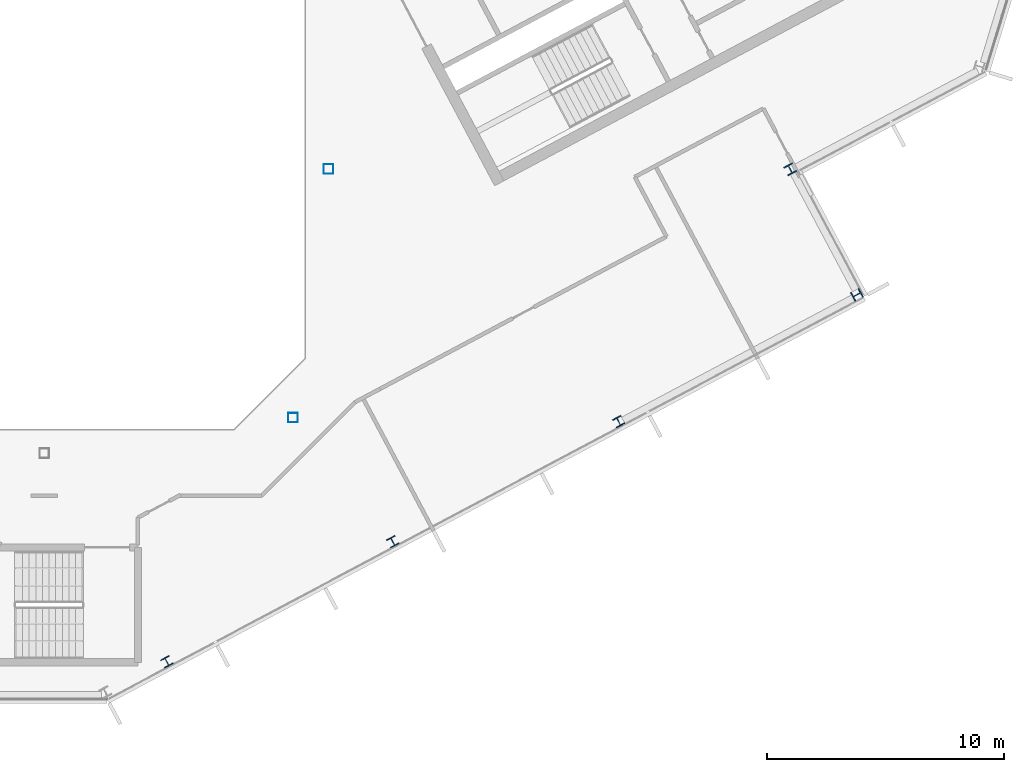
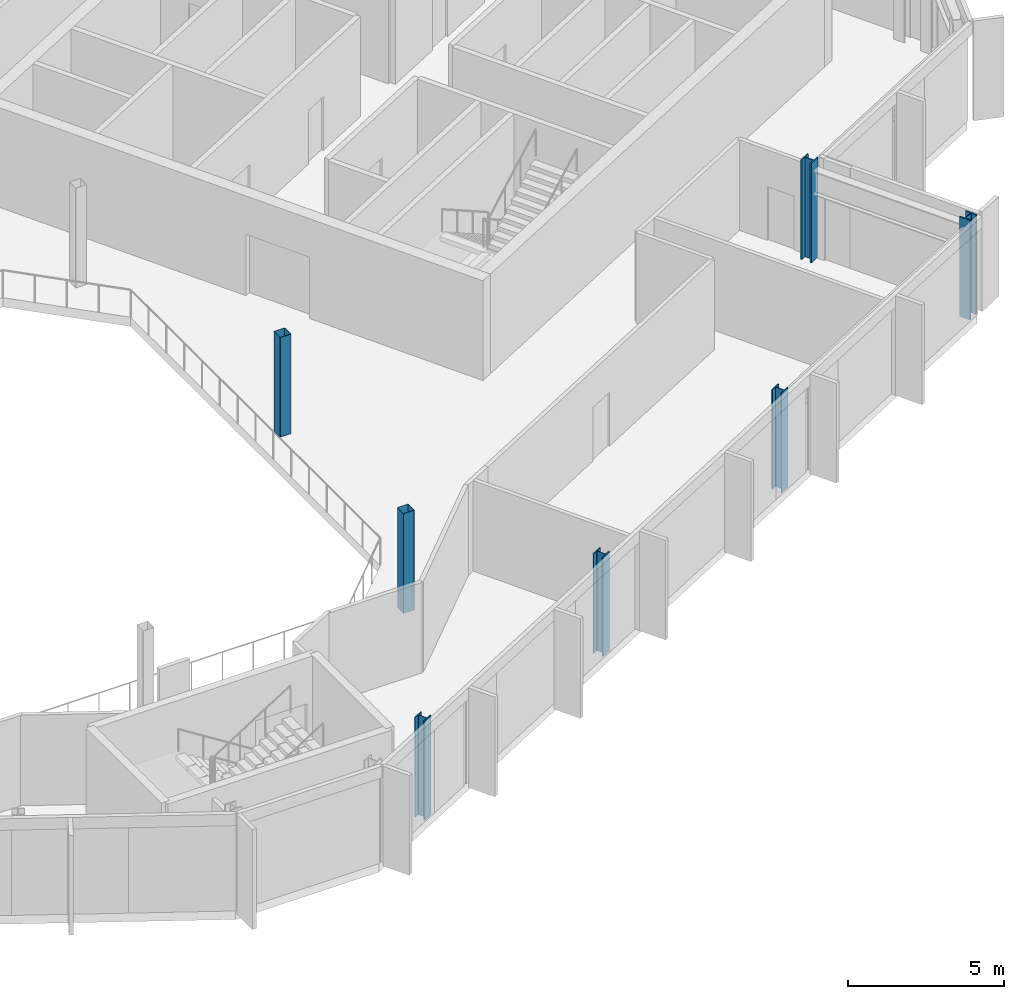
# One storey, part 5 of 25: 7 columns.
"""IFC4 building model written with IfcOpenShell, lengths in metres."""

from ifc_helpers import new_model, si_unit, direction, frame, origin, origin_2d, place, context, subcontext, project, spatial, hollow_rectangle, i_section, extrude, material, material_profile, profile_set, type_object, element, save


model = new_model("IFC4")

# Units and contexts
model_context = context("Model", 3, precision=1e-05, world=origin(), true_north=direction((0.0, 1.0)))
body_context = subcontext(model_context, "Body", "Model", "MODEL_VIEW")
ifc_project = project(units=[si_unit("LENGTHUNIT", "METRE"), si_unit("AREAUNIT", "SQUARE_METRE"), si_unit("VOLUMEUNIT", "CUBIC_METRE"), si_unit("PLANEANGLEUNIT", "RADIAN"), si_unit("MASSUNIT", "GRAM", prefix="KILO")], contexts=[model_context])

# Site, building, storey
site_placement = place(None, origin())
site = spatial("IfcSite", under=ifc_project, at=site_placement, CompositionType="ELEMENT")
building_placement = place(site_placement, origin())
building = spatial("IfcBuilding", under=site, at=building_placement, Name="Cormorant Relay Tower", CompositionType="ELEMENT")
storey_placement = place(building_placement, frame((0.0, 0.0, 289.199951171875)))
storey = spatial("IfcBuildingStorey", under=building, at=storey_placement, Name="L65", CompositionType="ELEMENT", Elevation=289.199951171875)

# Columns
ifc_material_1 = material(Name="Steel ASTM A500 Grade C (Fy 345 MPa)", Category="steel")
ifc_material_profile_1 = material_profile(ifc_material_1, hollow_rectangle(XDim=0.406494140625, YDim=0.406494140625, WallThickness=0.0087890625, InnerFilletRadius=0.00439453125, OuterFilletRadius=0.01318359375, at=origin_2d()), Name="HSS406x406x9")
ifc_profile_set_1 = profile_set([ifc_material_profile_1], Name="Steel ASTM A500 Grade C (Fy 345 MPa)")
column_type_1 = type_object("IfcColumnType", Name="Column HSS406x406x9", PredefinedType="COLUMN", material=ifc_profile_set_1)
for number, where, z_axis, x_axis, name in (
    (1, (10.5, -10.5, 0.0), (0.0, 0.0, 1.0), (1.0, 0.0, 0.0), "Column L65-010"),
    (2, (12.0, 0.0, 0.0), (0.0, 0.0, 1.0), (1.0, 0.0, 0.0), "Column L65-016"),
):
    element("IfcColumn", number, at=place(storey_placement, frame(where, z_axis=z_axis, x_axis=x_axis)), inside=storey, type_object=column_type_1, Name=name, PredefinedType="COLUMN", context=body_context, shape_type="SweptSolid", body=[
        extrude(hollow_rectangle(XDim=0.406494140625, YDim=0.406494140625, WallThickness=0.0087890625, InnerFilletRadius=0.00439453125, OuterFilletRadius=0.01318359375, at=origin_2d()), origin(), (0.0, 0.0, 1.0), 3.900146484375),
    ])
ifc_material_2 = material(Name="Steel ASTM A992 (Fy 345 MPa)", Category="steel")
ifc_material_profile_2 = material_profile(ifc_material_2, i_section(OverallWidth=0.398681640625, OverallDepth=0.385986328125, WebThickness=0.02099609375, FlangeThickness=0.033203125, FilletRadius=0.01513671875, at=origin_2d()), Name="W360x262")
ifc_profile_set_2 = profile_set([ifc_material_profile_2], Name="Steel ASTM A992 (Fy 345 MPa)")
column_type_2 = type_object("IfcColumnType", Name="Column W360x262", PredefinedType="COLUMN", material=ifc_profile_set_2)
for number, where, z_axis, x_axis, name in (
    (3, (5.174072265625, -20.806884765625, 0.0), (0.0, 0.0, 1.0), (0.882947592859, 0.469471562786, 0.0), "Column L65-003"),
    (4, (14.7099609375, -15.736083984375, 0.0), (0.0, 0.0, 1.0), (0.882947592859, 0.469471562786, 0.0), "Column L65-005"),
    (5, (24.2451171875, -10.666015625, 0.0), (0.0, 0.0, 1.0), (0.882947592859, 0.469471562786, 0.0), "Column L65-008"),
):
    element("IfcColumn", number, at=place(storey_placement, frame(where, z_axis=z_axis, x_axis=x_axis)), inside=storey, type_object=column_type_2, Name=name, PredefinedType="COLUMN", context=body_context, shape_type="SweptSolid", body=[
        extrude(i_section(OverallWidth=0.398681640625, OverallDepth=0.385986328125, WebThickness=0.02099609375, FlangeThickness=0.033203125, FilletRadius=0.01513671875, at=origin_2d()), origin(), (0.0, 0.0, 1.0), 3.900146484375),
    ])
ifc_material_3 = material(Name="Steel ASTM A992 (Fy 345 MPa)", Category="steel")
ifc_material_profile_3 = material_profile(ifc_material_3, i_section(OverallWidth=0.40380859375, OverallDepth=0.406494140625, WebThickness=0.027099609375, FlangeThickness=0.043701171875, FilletRadius=0.01513671875, at=origin_2d()), Name="W360x347")
ifc_profile_set_3 = profile_set([ifc_material_profile_3], Name="Steel ASTM A992 (Fy 345 MPa)")
column_type_3 = type_object("IfcColumnType", Name="Column W360x347", PredefinedType="COLUMN", material=ifc_profile_set_3)
for number, where, z_axis, x_axis, name in (
    (6, (34.303955078125, -5.31201171875, 0.0), (0.0, 0.0, 1.0), (-0.469471562786, 0.882947592859, 0.0), "Column L65-012"),
    (7, (31.487060546875, -0.013916015625, 0.0), (0.0, 0.0, 1.0), (0.882947592859, 0.469471562786, 0.0), "Column L65-014"),
):
    element("IfcColumn", number, at=place(storey_placement, frame(where, z_axis=z_axis, x_axis=x_axis)), inside=storey, type_object=column_type_3, Name=name, PredefinedType="COLUMN", context=body_context, shape_type="SweptSolid", body=[
        extrude(i_section(OverallWidth=0.40380859375, OverallDepth=0.406494140625, WebThickness=0.027099609375, FlangeThickness=0.043701171875, FilletRadius=0.01513671875, at=origin_2d()), origin(), (0.0, 0.0, 1.0), 3.900146484375),
    ])

save(model, "model.ifc")
